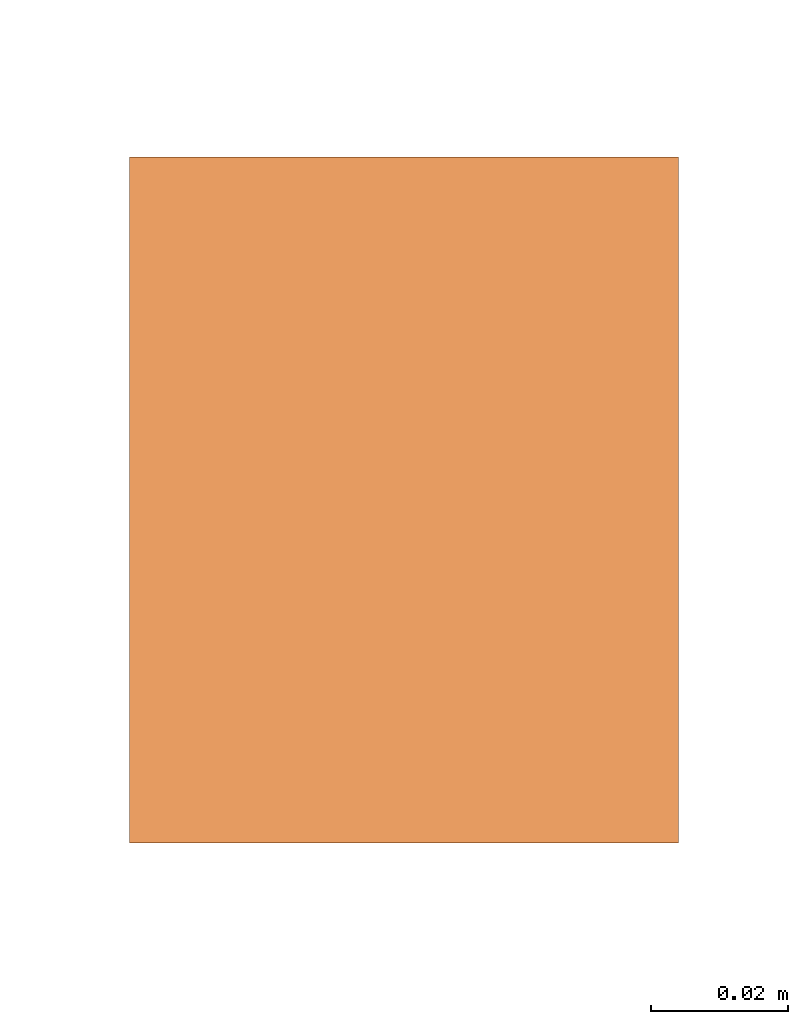
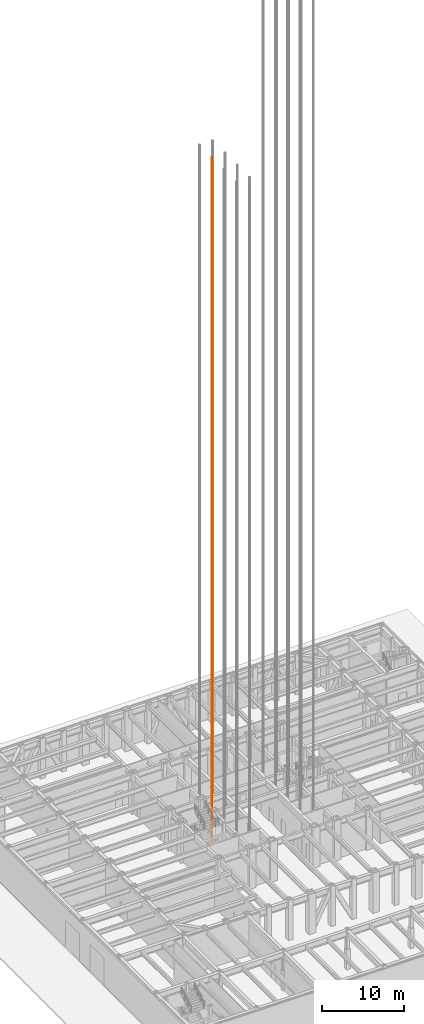
# One storey, part 24 of 35: 1 proxy.
"""IFC4 building model written with IfcOpenShell, lengths in metres."""

from ifc_helpers import new_model, si_unit, direction, frame, origin, origin_2d, place, context, subcontext, project, spatial, rectangle, extrude, material, type_object, element, save


model = new_model("IFC4")

# Units and contexts
model_context = context("Model", 3, precision=1e-05, world=origin(), true_north=direction((0.0, 1.0)))
body_context = subcontext(model_context, "Body", "Model", "MODEL_VIEW")
ifc_project = project(units=[si_unit("LENGTHUNIT", "METRE"), si_unit("AREAUNIT", "SQUARE_METRE"), si_unit("VOLUMEUNIT", "CUBIC_METRE"), si_unit("PLANEANGLEUNIT", "RADIAN"), si_unit("MASSUNIT", "GRAM", prefix="KILO")], contexts=[model_context])

# Site, building, storey
site_placement = place(None, origin())
site = spatial("IfcSite", under=ifc_project, at=site_placement, CompositionType="ELEMENT")
building_placement = place(site_placement, origin())
building = spatial("IfcBuilding", under=site, at=building_placement, Name="Chuquiago Exchange Tower", CompositionType="ELEMENT")
storey_placement = place(building_placement, origin())
storey = spatial("IfcBuildingStorey", under=building, at=storey_placement, Name="L00", CompositionType="ELEMENT", Elevation=0.0)

# Proxy
ifc_material = material(Name="Galvanised steel guide rail", Category="steel")
building_element_proxy_type = type_object("IfcBuildingElementProxyType", Name="LR lift guide rail", PredefinedType="NOTDEFINED", material=ifc_material)
proxy_placement = place(storey_placement, frame((17.06494140625, 22.5, 0.0), z_axis=(0.0, 0.0, 1.0), x_axis=(1.0, 0.0, 0.0)))
element("IfcBuildingElementProxy", 1, at=proxy_placement, inside=storey, type_object=building_element_proxy_type, Name="Lift LA3 guide rail W", PredefinedType="NOTDEFINED", context=body_context, shape_type="SweptSolid", body=[
    extrude(rectangle(XDim=0.080078125, YDim=0.10009765625, at=origin_2d()), origin(), (0.0, 0.0, 1.0), 102.300048828125),
])

save(model, "model.ifc")
